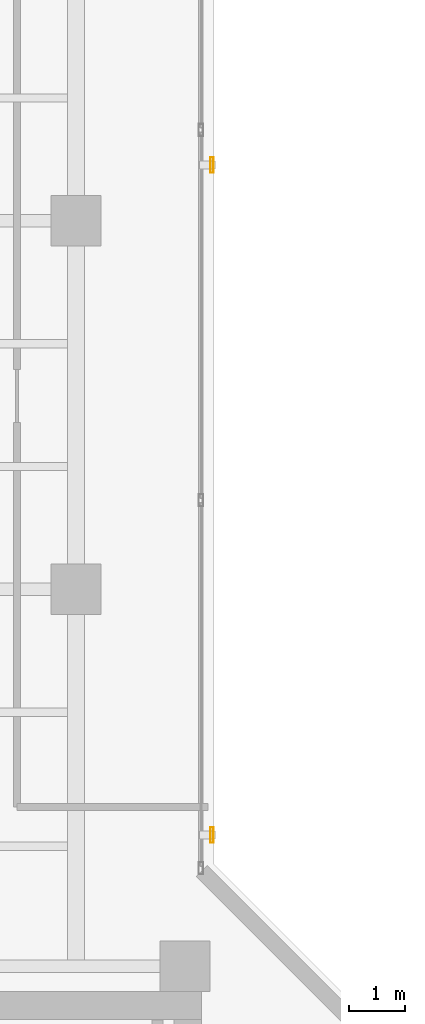
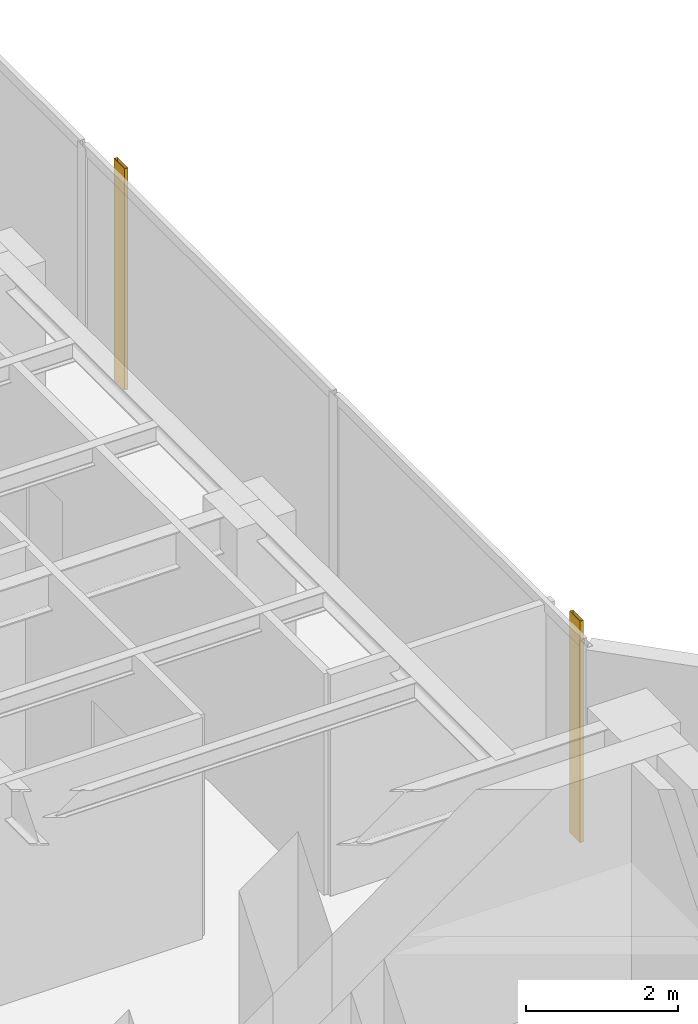
# One storey, part 22 of 22: 2 shading devices.
"""IFC4 building model written with IfcOpenShell, lengths in metres."""

from ifc_helpers import new_model, si_unit, direction, frame, origin, origin_2d, place, context, subcontext, project, spatial, hollow_rectangle, extrude, material, material_profile, profile_set, type_object, element, save


model = new_model("IFC4")

# Units and contexts
model_context = context("Model", 3, precision=1e-05, world=origin(), true_north=direction((0.0, 1.0)))
body_context = subcontext(model_context, "Body", "Model", "MODEL_VIEW")
ifc_project = project(units=[si_unit("LENGTHUNIT", "METRE"), si_unit("AREAUNIT", "SQUARE_METRE"), si_unit("VOLUMEUNIT", "CUBIC_METRE"), si_unit("PLANEANGLEUNIT", "RADIAN"), si_unit("MASSUNIT", "GRAM", prefix="KILO")], contexts=[model_context])

# Site, building, storey
site_placement = place(None, origin())
site = spatial("IfcSite", under=ifc_project, at=site_placement, CompositionType="ELEMENT")
building_placement = place(site_placement, origin())
building = spatial("IfcBuilding", under=site, at=building_placement, Name="Kolvaren Waterfront Exchange", CompositionType="ELEMENT")
storey_placement = place(building_placement, frame((0.0, 0.0, 308.39990234375)))
storey = spatial("IfcBuildingStorey", under=building, at=storey_placement, Name="L79", CompositionType="ELEMENT", Elevation=308.39990234375)

# Shading devices
ifc_material = material(Name="Anodised bronze aluminium 6063-T6", Category="aluminium")
ifc_material_profile = material_profile(ifc_material, hollow_rectangle(XDim=0.054931640625, YDim=0.280029296875, WallThickness=0.00439453125, at=origin_2d()), Name="BRZ-FIN-280x55x4.5")
ifc_profile_set = profile_set([ifc_material_profile], Name="Anodised bronze aluminium 6063-T6")
shading_device_type = type_object("IfcShadingDeviceType", Name="ARC-FIN-280", PredefinedType="USERDEFINED", material=ifc_profile_set)
for number, where, z_axis, x_axis, name in (
    (1, (21.233642578125, 26.800048828125, 0.0), (0.0, 0.0, 1.0), (1.0, 0.0, 0.0), "L79 anodised bronze solar shading fin FIN-L79-E2"),
    (2, (21.233642578125, 38.800048828125, 0.0), (0.0, 0.0, 1.0), (1.0, 0.0, 0.0), "L79 anodised bronze solar shading fin FIN-L79-E3"),
):
    element("IfcShadingDevice", number, at=place(storey_placement, frame(where, z_axis=z_axis, x_axis=x_axis)), inside=storey, type_object=shading_device_type, Name=name, ObjectType="SOLAR FIN", PredefinedType="USERDEFINED", context=body_context, shape_type="SweptSolid", body=[
        extrude(hollow_rectangle(XDim=0.054931640625, YDim=0.280029296875, WallThickness=0.00439453125, at=origin_2d()), origin(), (0.0, 0.0, 1.0), 3.56005859375),
    ])

save(model, "model.ifc")
